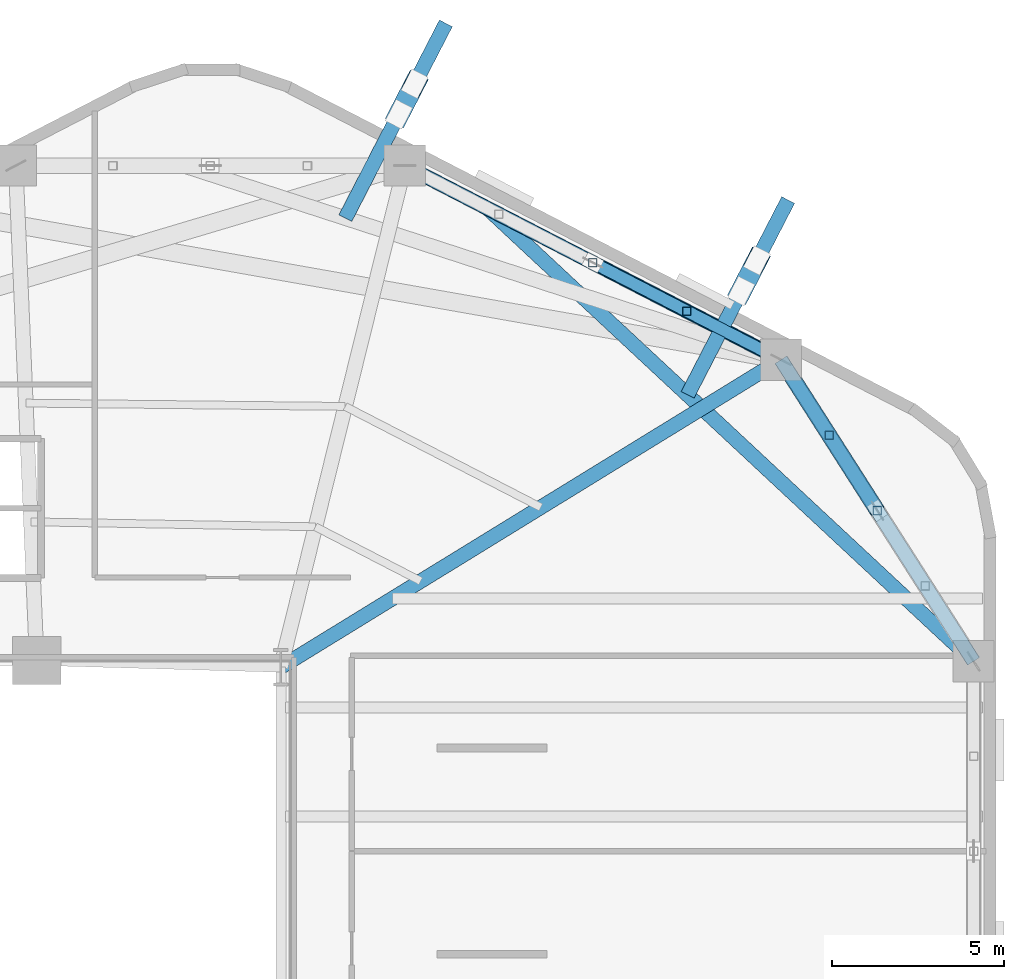
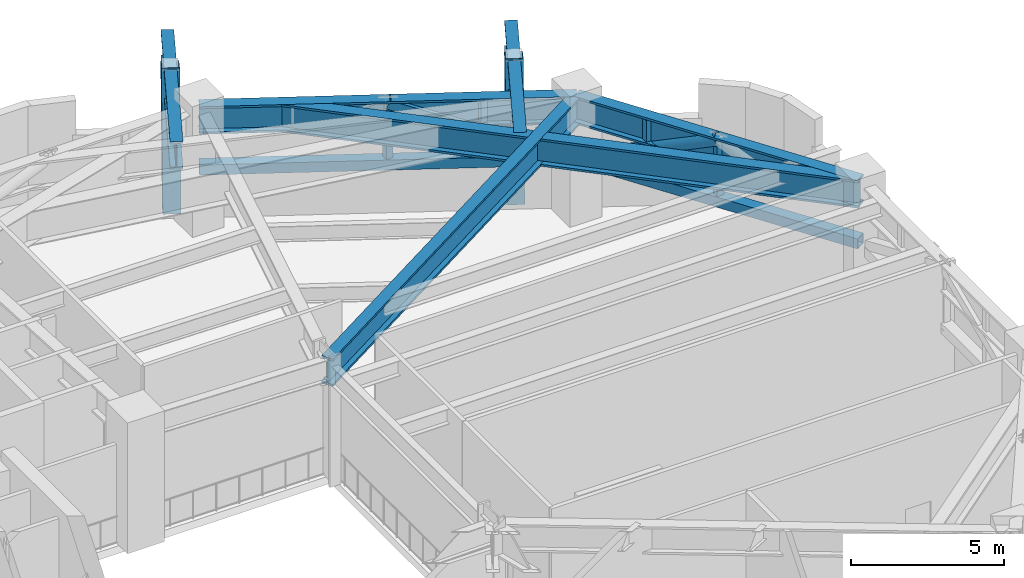
# One storey, part 6 of 14: 10 members, 6 beams.
"""IFC4 building model written with IfcOpenShell, lengths in metres."""

from ifc_helpers import new_model, si_unit, direction, frame, origin, origin_2d, place, context, subcontext, project, spatial, hollow_rectangle, hollow_circle, i_section, extrude, material, material_profile, profile_set, type_object, element, save


model = new_model("IFC4")

# Units and contexts
model_context = context("Model", 3, precision=1e-05, world=origin(), true_north=direction((0.0, 1.0)))
body_context = subcontext(model_context, "Body", "Model", "MODEL_VIEW")
ifc_project = project(units=[si_unit("LENGTHUNIT", "METRE"), si_unit("AREAUNIT", "SQUARE_METRE"), si_unit("VOLUMEUNIT", "CUBIC_METRE"), si_unit("PLANEANGLEUNIT", "RADIAN"), si_unit("MASSUNIT", "GRAM", prefix="KILO"), si_unit("THERMODYNAMICTEMPERATUREUNIT", "KELVIN"), si_unit("POWERUNIT", "WATT")], contexts=[model_context])

# Site, building, storey
site_placement = place(None, origin())
site = spatial("IfcSite", under=ifc_project, at=site_placement, CompositionType="ELEMENT")
building_placement = place(site_placement, origin())
building = spatial("IfcBuilding", under=site, at=building_placement, Name="Skarre Station Tower", CompositionType="ELEMENT")
storey_placement = place(building_placement, frame((0.0, 0.0, 96.35009765625)))
storey = spatial("IfcBuildingStorey", under=building, at=storey_placement, Name="L25", CompositionType="ELEMENT", Elevation=96.35009765625)

# Beams
ifc_material_1 = material(Name="Steel ASTM A913 Grade 65", Category="steel")
ifc_material_profile_1 = material_profile(ifc_material_1, i_section(OverallWidth=0.424072265625, OverallDepth=1.092041015625, WebThickness=0.044921875, FlangeThickness=0.08203125, at=origin_2d()), Name="Steel ASTM A913 Grade 65")
ifc_profile_set_1 = profile_set([ifc_material_profile_1], Name="Steel ASTM A913 Grade 65")
beam_type_1 = type_object("IfcBeamType", Name="Steel Heavy Spandrel W40X593", PredefinedType="SPANDREL", material=ifc_profile_set_1)
beam_1_placement = place(storey_placement, frame((54.007080078125, 38.298095703125, 4.23388671875), z_axis=(-0.888658695823, 0.458569212158, 0.0), x_axis=(-0.458569212158, -0.888658695823, 0.0)))
element("IfcBeam", 1, at=beam_1_placement, inside=storey, type_object=beam_type_1, Name="L25 Facet Spandrel Beam 1", PredefinedType="SPANDREL", context=body_context, shape_type="SweptSolid", body=[
    extrude(i_section(OverallWidth=0.424072265625, OverallDepth=1.092041015625, WebThickness=0.044921875, FlangeThickness=0.08203125, at=origin_2d()), origin(), (0.0, 0.0, 1.0), 12.318603515625),
])
beam_2_placement = place(storey_placement, frame((59.613037109375, 29.52099609375, 4.23388671875), z_axis=(-0.538277829225, 0.842767452246, 0.0), x_axis=(-0.842767452246, -0.538277829225, 0.0)))
element("IfcBeam", 2, at=beam_2_placement, inside=storey, type_object=beam_type_1, Name="L25 Facet Spandrel Beam 12", PredefinedType="SPANDREL", context=body_context, shape_type="SweptSolid", body=[
    extrude(i_section(OverallWidth=0.424072265625, OverallDepth=1.092041015625, WebThickness=0.044921875, FlangeThickness=0.08203125, at=origin_2d()), origin(), (0.0, 0.0, 1.0), 10.41455078125),
])
ifc_material_profile_2 = material_profile(ifc_material_1, i_section(OverallWidth=0.424072265625, OverallDepth=1.092041015625, WebThickness=0.044921875, FlangeThickness=0.08203125, at=origin_2d()), Name="Steel ASTM A913 Grade 65")
ifc_profile_set_2 = profile_set([ifc_material_profile_2], Name="Steel ASTM A913 Grade 65")
beam_type_2 = type_object("IfcBeamType", Name="Steel Medium-Span Transfer Girder W40X593", PredefinedType="USERDEFINED", material=ifc_profile_set_2)
beam_3_placement = place(storey_placement, frame((59.613037109375, 29.52099609375, 4.23388671875), z_axis=(-0.731541265744, 0.681797166696, 0.0), x_axis=(-0.681797166696, -0.731541265744, 0.0)))
element("IfcBeam", 3, at=beam_3_placement, inside=storey, type_object=beam_type_2, Name="L25 Setback Perimeter Transfer Girder F0C1", ObjectType="TRANSFER_GIRDER", PredefinedType="USERDEFINED", context=body_context, shape_type="SweptSolid", body=[
    extrude(i_section(OverallWidth=0.424072265625, OverallDepth=1.092041015625, WebThickness=0.044921875, FlangeThickness=0.08203125, at=origin_2d()), origin(), (0.0, 0.0, 1.0), 19.337158203125),
])
beam_4_placement = place(storey_placement, frame((39.449951171875, 29.35009765625, 4.23388671875), z_axis=(0.851925565957, 0.523662897358, 0.0), x_axis=(-0.523662897358, 0.851925565957, 0.0)))
element("IfcBeam", 4, at=beam_4_placement, inside=storey, type_object=beam_type_2, Name="L25 Radial Floor Girder F0C1", ObjectType="TRANSFER_GIRDER", PredefinedType="USERDEFINED", context=body_context, shape_type="SweptSolid", body=[
    extrude(i_section(OverallWidth=0.424072265625, OverallDepth=1.092041015625, WebThickness=0.044921875, FlangeThickness=0.08203125, at=origin_2d()), origin(), (0.0, 0.0, 1.0), 17.08740234375),
])
ifc_material_profile_3 = material_profile(ifc_material_1, i_section(OverallWidth=0.424072265625, OverallDepth=1.092041015625, WebThickness=0.044921875, FlangeThickness=0.08203125, at=origin_2d()), Name="Steel ASTM A913 Grade 65")
ifc_profile_set_3 = profile_set([ifc_material_profile_3], Name="Steel ASTM A913 Grade 65")
beam_type_3 = type_object("IfcBeamType", Name="Steel Transfer Girder W40X593", PredefinedType="USERDEFINED", material=ifc_profile_set_3)
for number, where, z_axis, x_axis, name in (
    (5, (51.291015625, 37.277099609375, 4.23388671875), (0.458657541913, 0.88861310999, 0.0), (-0.88861310999, 0.458657541913, 0.0), "L25 SB-2 Exoskeleton Tier-1 Transfer Girder S1"),
    (6, (41.3310546875, 42.41796875, 4.23388671875), (0.458657541913, 0.88861310999, 0.0), (-0.88861310999, 0.458657541913, 0.0), "L25 SB-2 Exoskeleton Tier-1 Transfer Girder S2"),
):
    element("IfcBeam", number, at=place(storey_placement, frame(where, z_axis=z_axis, x_axis=x_axis)), inside=storey, type_object=beam_type_3, Name=name, ObjectType="TRANSFER_GIRDER", PredefinedType="USERDEFINED", context=body_context, shape_type="SweptSolid", body=[
        extrude(i_section(OverallWidth=0.424072265625, OverallDepth=1.092041015625, WebThickness=0.044921875, FlangeThickness=0.08203125, at=origin_2d()), origin(), (0.0, 0.0, 1.0), 6.379638671875),
    ])

# Members
ifc_material_2 = material(Name="Steel ASTM A500 Grade C", Category="steel")
ifc_material_profile_4 = material_profile(ifc_material_2, hollow_circle(Radius=0.228515625, WallThickness=0.02001953125, at=origin_2d()), Name="Steel ASTM A500 Grade C")
ifc_profile_set_4 = profile_set([ifc_material_profile_4], Name="Steel ASTM A500 Grade C")
member_type_1 = type_object("IfcMemberType", Name="Steel Truss Brace CHS457X20", PredefinedType="BRACE", material=ifc_profile_set_4)
member_1_placement = place(storey_placement, frame((54.007080078125, 38.298095703125, 2.25), z_axis=(0.489595309643, -0.766482544685, 0.415693326226), x_axis=(0.842747073867, 0.538309733786, 0.0)))
element("IfcMember", 7, at=member_1_placement, inside=storey, type_object=member_type_1, Name="L25 Belt Truss Chevron Diagonal 12B", PredefinedType="BRACE", context=body_context, shape_type="SweptSolid", body=[
    extrude(hollow_circle(Radius=0.228515625, WallThickness=0.02001953125, at=origin_2d()), origin(), (0.0, 0.0, 1.0), 5.72509765625),
])
ifc_material_profile_5 = material_profile(ifc_material_2, hollow_rectangle(XDim=0.35009765625, YDim=0.35009765625, WallThickness=0.02001953125, at=origin_2d()), Name="Steel ASTM A500 Grade C")
ifc_profile_set_5 = profile_set([ifc_material_profile_5], Name="Steel ASTM A500 Grade C")
member_type_2 = type_object("IfcMemberType", Name="Steel Truss Brace HSS350X350X20", PredefinedType="BRACE", material=ifc_profile_set_5)
member_2_placement = place(storey_placement, frame((54.007080078125, 38.298095703125, 2.25), z_axis=(-0.828888569299, 0.427828960449, 0.360424916296), x_axis=(-0.458656045669, -0.888613882275, 0.0)))
element("IfcMember", 8, at=member_2_placement, inside=storey, type_object=member_type_2, Name="L25 Belt Truss Chevron Diagonal 1A", PredefinedType="BRACE", context=body_context, shape_type="SweptSolid", body=[
    extrude(hollow_rectangle(XDim=0.35009765625, YDim=0.35009765625, WallThickness=0.02001953125, at=origin_2d()), origin(), (0.0, 0.0, 1.0), 6.60302734375),
])
ifc_material_profile_6 = material_profile(ifc_material_2, hollow_rectangle(XDim=0.39990234375, YDim=0.39990234375, WallThickness=0.02197265625, at=origin_2d()), Name="Steel ASTM A500 Grade C")
ifc_profile_set_6 = profile_set([ifc_material_profile_6], Name="Steel ASTM A500 Grade C")
member_type_3 = type_object("IfcMemberType", Name="Steel Truss Chord HSS400X400X22", PredefinedType="CHORD", material=ifc_profile_set_6)
member_3_placement = place(storey_placement, frame((54.007080078125, 38.298095703125, 2.25), z_axis=(-0.888658695823, 0.458569212158, 0.0), x_axis=(-0.458569212158, -0.888658695823, 0.0)))
element("IfcMember", 9, at=member_3_placement, inside=storey, type_object=member_type_3, Name="L25 Belt Truss Bottom Chord 1", PredefinedType="CHORD", context=body_context, shape_type="SweptSolid", body=[
    extrude(hollow_rectangle(XDim=0.39990234375, YDim=0.39990234375, WallThickness=0.02197265625, at=origin_2d()), origin(), (0.0, 0.0, 1.0), 12.318603515625),
])
member_4_placement = place(storey_placement, frame((59.613037109375, 29.52099609375, 2.25), z_axis=(-0.538277829225, 0.842767452246, 0.0), x_axis=(-0.842767452246, -0.538277829225, 0.0)))
element("IfcMember", 10, at=member_4_placement, inside=storey, type_object=member_type_3, Name="L25 Belt Truss Bottom Chord 12", PredefinedType="CHORD", context=body_context, shape_type="SweptSolid", body=[
    extrude(hollow_rectangle(XDim=0.39990234375, YDim=0.39990234375, WallThickness=0.02197265625, at=origin_2d()), origin(), (0.0, 0.0, 1.0), 10.41455078125),
])
ifc_material_profile_7 = material_profile(ifc_material_2, hollow_rectangle(XDim=0.25, YDim=0.25, WallThickness=0.01611328125, at=origin_2d()), Name="Steel ASTM A500 Grade C")
ifc_profile_set_7 = profile_set([ifc_material_profile_7], Name="Steel ASTM A500 Grade C")
member_type_4 = type_object("IfcMemberType", Name="Steel Truss Strut HSS250X250X16", PredefinedType="STRUT", material=ifc_profile_set_7)
for number, where, z_axis, x_axis, name in (
    (11, (51.27001953125, 39.7099609375, 2.25), (0.0, 0.0, 1.0), (1.0, 0.0, 0.0), "L25 Belt Truss Web Post 1-1"),
    (12, (48.533935546875, 41.123046875, 2.25), (0.0, 0.0, 1.0), (1.0, 0.0, 0.0), "L25 Belt Truss Web Post 1-2"),
    (13, (56.81005859375, 33.909912109375, 2.25), (0.0, 0.0, 1.0), (1.0, 0.0, 0.0), "L25 Belt Truss Web Post 12-2"),
    (14, (55.408935546875, 36.10400390625, 2.25), (0.0, 0.0, 1.0), (1.0, 0.0, 0.0), "L25 Belt Truss Web Post 12-3"),
):
    element("IfcMember", number, at=place(storey_placement, frame(where, z_axis=z_axis, x_axis=x_axis)), inside=storey, type_object=member_type_4, Name=name, PredefinedType="STRUT", context=body_context, shape_type="SweptSolid", body=[
        extrude(hollow_rectangle(XDim=0.25, YDim=0.25, WallThickness=0.01611328125, at=origin_2d()), origin(), (0.0, 0.0, 1.0), 2.3798828125),
    ])
ifc_material_3 = material(Name="Steel ASTM A501 Grade B", Category="steel")
ifc_material_profile_8 = material_profile(ifc_material_3, hollow_rectangle(XDim=0.60009765625, YDim=0.60009765625, WallThickness=0.028076171875, at=origin_2d()), Name="Steel ASTM A501 Grade B")
ifc_profile_set_8 = profile_set([ifc_material_profile_8], Name="Steel ASTM A501 Grade B")
member_type_5 = type_object("IfcMemberType", Name="Steel Truss Strut HSS600X600X28", PredefinedType="STRUT", material=ifc_profile_set_8)
for number, where, z_axis, x_axis, name in (
    (15, (52.85009765625, 40.298095703125, -0.330078125), (0.088149691947, 0.170719695946, 0.981368644917), (-0.888543643112, 0.458792103557, 0.0), "L25 SB-2 Exoskeleton Raking Strut Tier 1 S1"),
    (16, (42.889892578125, 45.43896484375, -0.330078125), (0.088196215454, 0.170718990148, 0.981364587695), (-0.888444149471, 0.458984741872, 0.0), "L25 SB-2 Exoskeleton Raking Strut Tier 1 S2"),
):
    element("IfcMember", number, at=place(storey_placement, frame(where, z_axis=z_axis, x_axis=x_axis)), inside=storey, type_object=member_type_5, Name=name, PredefinedType="STRUT", context=body_context, shape_type="SweptSolid", body=[
        extrude(hollow_rectangle(XDim=0.60009765625, YDim=0.60009765625, WallThickness=0.028076171875, at=origin_2d()), origin(), (0.0, 0.0, 1.0), 5.206787109375),
    ])

save(model, "model.ifc")
